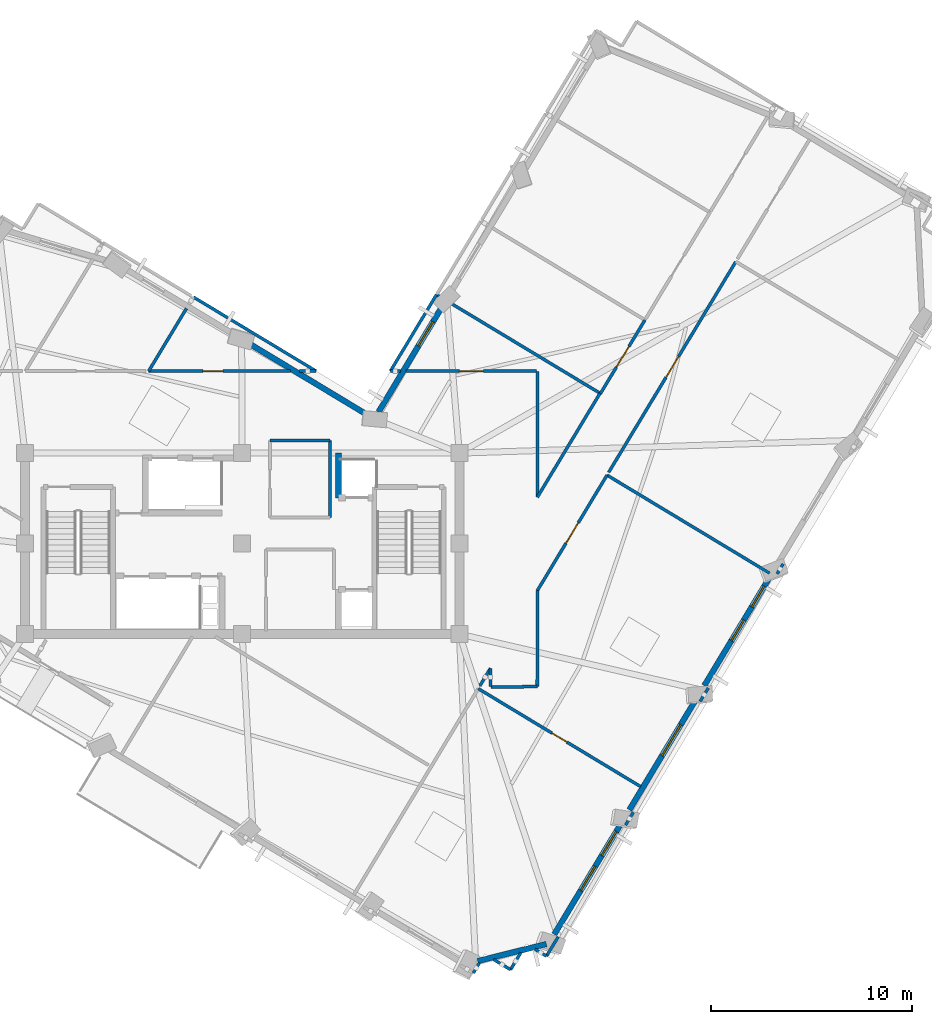
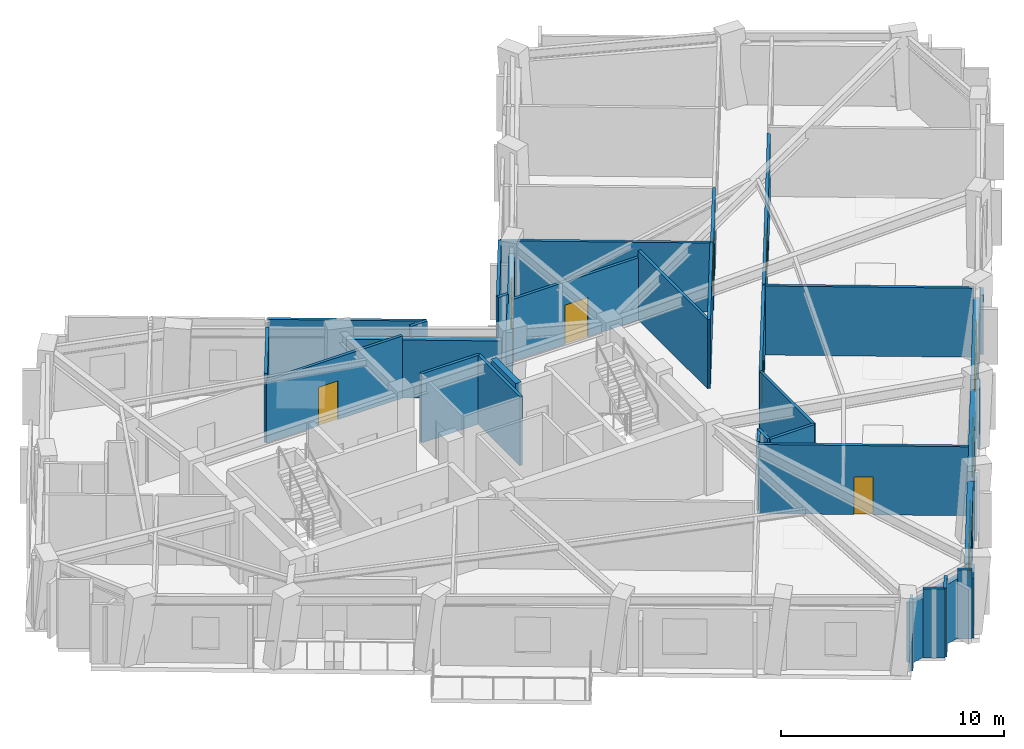
# One storey, part 6 of 12: 36 walls, 6 doors, 6 windows, 12 openings.
"""IFC4 building model written with IfcOpenShell, lengths in metres."""

from ifc_helpers import new_model, si_unit, direction, frame, frame_2d, origin, place, context, subcontext, project, spatial, rectangle, extrude, material, layer, layer_set, type_object, element, fill, save


model = new_model("IFC4")

# Units and contexts
model_context = context("Model", 3, precision=1e-05, world=origin(), true_north=direction((0.0, 1.0)))
body_context = subcontext(model_context, "Body", "Model", "MODEL_VIEW")
ifc_project = project(units=[si_unit("LENGTHUNIT", "METRE"), si_unit("AREAUNIT", "SQUARE_METRE"), si_unit("VOLUMEUNIT", "CUBIC_METRE"), si_unit("PLANEANGLEUNIT", "RADIAN"), si_unit("MASSUNIT", "GRAM", prefix="KILO")], contexts=[model_context])

# Site, building, storey
site_placement = place(None, origin())
site = spatial("IfcSite", under=ifc_project, at=site_placement, CompositionType="ELEMENT")
building_placement = place(site_placement, origin())
building = spatial("IfcBuilding", under=site, at=building_placement, Name="Gaonmaruhae Medical Tower", CompositionType="ELEMENT")
storey_placement = place(building_placement, frame((0.0, 0.0, 276.60009765625)))
storey = spatial("IfcBuildingStorey", under=building, at=storey_placement, Name="L66", CompositionType="ELEMENT", Elevation=276.60009765625)

# Wall, openings, windows
ifc_material_1 = material(Name="Precast concrete C45/55", Category="concrete")
ifc_layer_1 = layer(ifc_material_1, 0.280029296875)
ifc_layer_set_1 = layer_set([ifc_layer_1], Name="Precast concrete C45/55")
wall_type_1 = type_object("IfcWallType", Name="EW-280 Upper Precast Masonry-Frame Facade Wall", PredefinedType="SOLIDWALL", material=ifc_layer_set_1)
wall_1_placement = place(storey_placement, frame((43.67138671875, -1.580078125, 0.0), z_axis=(0.0, 0.0, 1.0), x_axis=(-0.516520776281, -0.856274656678, 0.0)))
wall_1 = element("IfcWall", 1, at=wall_1_placement, inside=storey, type_object=wall_type_1, Name="L66 Precast Masonry-Frame Wall S01-S02", PredefinedType="SOLIDWALL", context=body_context, shape_type="SweptSolid", body=[
    extrude(rectangle(XDim=6.484375, YDim=0.280029296875, at=frame_2d((3.2421875, 0.0))), origin(), (0.0, 0.0, 1.0), 3.264892578125),
])
opening_1_placement = place(wall_1_placement, frame((2.5341796875, 0.0, 0.75)))
opening_1 = element("IfcOpeningElement", 2, at=opening_1_placement, cuts=wall_1, Name="Opening WN-03", PredefinedType="OPENING", context=body_context, shape_type="SweptSolid", body=[
    extrude(rectangle(XDim=1.39990234375, YDim=1.85009765625, at=frame_2d((0.699951171875, 0.925048828125))), frame((0.0, 0.14990234375, 0.0), z_axis=(0.0, -1.0, 0.0), x_axis=(1.0, 0.0, 0.0)), (0.0, 0.0, 1.0), 0.300048828125),
])
opening_2_placement = place(wall_1_placement, frame((0.50927734375, 0.0, 0.75)))
opening_2 = element("IfcOpeningElement", 3, at=opening_2_placement, cuts=wall_1, Name="Opening WN-03", PredefinedType="OPENING", context=body_context, shape_type="SweptSolid", body=[
    extrude(rectangle(XDim=1.39990234375, YDim=1.85009765625, at=frame_2d((0.699951171875, 0.925048828125))), frame((0.0, 0.14990234375, 0.0), z_axis=(0.0, -1.0, 0.0), x_axis=(1.0, 0.0, 0.0)), (0.0, 0.0, 1.0), 0.300048828125),
])
ifc_material_2 = material(Name="Anodised aluminium and Low-E double glazing", Category="aluminium")
window_type_1 = type_object("IfcWindowType", Name="WN-03 Isolation Ward Punched Window 1400x1850", PartitioningType="SINGLE_PANEL", PredefinedType="WINDOW", material=ifc_material_2)
window_1_placement = place(opening_1_placement, origin())
window_1 = element("IfcWindow", 4, at=window_1_placement, inside=storey, type_object=window_type_1, Name="L66 Modular Facade Window S01", OverallHeight=1.85009765625, OverallWidth=1.39990234375, PartitioningType="SINGLE_PANEL", PredefinedType="WINDOW", context=body_context, shape_type="SweptSolid", body=[
    extrude(rectangle(XDim=1.39990234375, YDim=1.85009765625, at=frame_2d((0.699951171875, 0.925048828125))), frame((0.0, 0.030029296875, 0.0), z_axis=(0.0, -1.0, 0.0), x_axis=(1.0, 0.0, 0.0)), (0.0, 0.0, 1.0), 0.06005859375),
])
fill(opening_1, window_1)
window_2_placement = place(opening_2_placement, origin())
window_2 = element("IfcWindow", 5, at=window_2_placement, inside=storey, type_object=window_type_1, Name="L66 Modular Facade Window S01B", OverallHeight=1.85009765625, OverallWidth=1.39990234375, PartitioningType="SINGLE_PANEL", PredefinedType="WINDOW", context=body_context, shape_type="SweptSolid", body=[
    extrude(rectangle(XDim=1.39990234375, YDim=1.85009765625, at=frame_2d((0.699951171875, 0.925048828125))), frame((0.0, 0.030029296875, 0.0), z_axis=(0.0, -1.0, 0.0), x_axis=(1.0, 0.0, 0.0)), (0.0, 0.0, 1.0), 0.06005859375),
])
fill(opening_2, window_2)

# Wall, opening, window
wall_2_placement = place(storey_placement, frame((47.381103515625, 4.56982421875, 0.0), z_axis=(0.0, 0.0, 1.0), x_axis=(-0.516524062201, -0.856272674542, 0.0)))
wall_2 = element("IfcWall", 6, at=wall_2_placement, inside=storey, type_object=wall_type_1, Name="L66 Precast Masonry-Frame Wall S02-S03", PredefinedType="SOLIDWALL", context=body_context, shape_type="SweptSolid", body=[
    extrude(rectangle(XDim=6.4384765625, YDim=0.280029296875, at=frame_2d((3.21923828125, 0.0))), origin(), (0.0, 0.0, 1.0), 3.264892578125),
])
opening_3_placement = place(wall_2_placement, frame((1.495361328125, 0.0, 0.75)))
opening_3 = element("IfcOpeningElement", 7, at=opening_3_placement, cuts=wall_2, Name="Opening WN-04", PredefinedType="OPENING", context=body_context, shape_type="SweptSolid", body=[
    extrude(rectangle(XDim=1.800048828125, YDim=2.050048828125, at=frame_2d((0.89990234375, 1.02490234375))), frame((0.0, 0.14990234375, 0.0), z_axis=(0.0, -1.0, 0.0), x_axis=(1.0, 0.0, 0.0)), (0.0, 0.0, 1.0), 0.300048828125),
])
window_type_2 = type_object("IfcWindowType", Name="WN-04 Clinic & Consult Punched Window 1800x2050", PartitioningType="SINGLE_PANEL", PredefinedType="WINDOW", material=ifc_material_2)
window_3_placement = place(opening_3_placement, origin())
window_3 = element("IfcWindow", 8, at=window_3_placement, inside=storey, type_object=window_type_2, Name="L66 Modular Facade Window S02", OverallHeight=2.050048828125, OverallWidth=1.800048828125, PartitioningType="SINGLE_PANEL", PredefinedType="WINDOW", context=body_context, shape_type="SweptSolid", body=[
    extrude(rectangle(XDim=1.800048828125, YDim=2.050048828125, at=frame_2d((0.89990234375, 1.02490234375))), frame((0.0, 0.030029296875, 0.0), z_axis=(0.0, -1.0, 0.0), x_axis=(1.0, 0.0, 0.0)), (0.0, 0.0, 1.0), 0.06005859375),
])
fill(opening_3, window_3)

# Wall, openings, windows
wall_3_placement = place(storey_placement, frame((51.095947265625, 10.727783203125, 0.0), z_axis=(0.0, 0.0, 1.0), x_axis=(-0.516526398174, -0.856271265423, 0.0)))
wall_3 = element("IfcWall", 9, at=wall_3_placement, inside=storey, type_object=wall_type_1, Name="L66 Precast Masonry-Frame Wall S03-S04", PredefinedType="SOLIDWALL", context=body_context, shape_type="SweptSolid", body=[
    extrude(rectangle(XDim=6.41357421875, YDim=0.280029296875, at=frame_2d((3.206787109375, 0.0))), origin(), (0.0, 0.0, 1.0), 3.264892578125),
])
opening_4_placement = place(wall_3_placement, frame((2.6044921875, 0.0, 0.75)))
opening_4 = element("IfcOpeningElement", 10, at=opening_4_placement, cuts=wall_3, Name="Opening WN-05", PredefinedType="OPENING", context=body_context, shape_type="SweptSolid", body=[
    extrude(rectangle(XDim=1.199951171875, YDim=1.75, at=frame_2d((0.60009765625, 0.875))), frame((0.0, 0.14990234375, 0.0), z_axis=(0.0, -1.0, 0.0), x_axis=(1.0, 0.0, 0.0)), (0.0, 0.0, 1.0), 0.300048828125),
])
opening_5_placement = place(wall_3_placement, frame((0.637451171875, 0.0, 0.75)))
opening_5 = element("IfcOpeningElement", 11, at=opening_5_placement, cuts=wall_3, Name="Opening WN-05", PredefinedType="OPENING", context=body_context, shape_type="SweptSolid", body=[
    extrude(rectangle(XDim=1.199951171875, YDim=1.75, at=frame_2d((0.60009765625, 0.875))), frame((0.0, 0.14990234375, 0.0), z_axis=(0.0, -1.0, 0.0), x_axis=(1.0, 0.0, 0.0)), (0.0, 0.0, 1.0), 0.300048828125),
])
window_type_3 = type_object("IfcWindowType", Name="WN-05 Support & Staff Punched Window 1200x1750", PartitioningType="SINGLE_PANEL", PredefinedType="WINDOW", material=ifc_material_2)
window_4_placement = place(opening_4_placement, origin())
window_4 = element("IfcWindow", 12, at=window_4_placement, inside=storey, type_object=window_type_3, Name="L66 Modular Facade Window S03", OverallHeight=1.75, OverallWidth=1.199951171875, PartitioningType="SINGLE_PANEL", PredefinedType="WINDOW", context=body_context, shape_type="SweptSolid", body=[
    extrude(rectangle(XDim=1.199951171875, YDim=1.75, at=frame_2d((0.60009765625, 0.875))), frame((0.0, 0.030029296875, 0.0), z_axis=(0.0, -1.0, 0.0), x_axis=(1.0, 0.0, 0.0)), (0.0, 0.0, 1.0), 0.06005859375),
])
fill(opening_4, window_4)
window_5_placement = place(opening_5_placement, origin())
window_5 = element("IfcWindow", 13, at=window_5_placement, inside=storey, type_object=window_type_3, Name="L66 Modular Facade Window S03B", OverallHeight=1.75, OverallWidth=1.199951171875, PartitioningType="SINGLE_PANEL", PredefinedType="WINDOW", context=body_context, shape_type="SweptSolid", body=[
    extrude(rectangle(XDim=1.199951171875, YDim=1.75, at=frame_2d((0.60009765625, 0.875))), frame((0.0, 0.030029296875, 0.0), z_axis=(0.0, -1.0, 0.0), x_axis=(1.0, 0.0, 0.0)), (0.0, 0.0, 1.0), 0.06005859375),
])
fill(opening_5, window_5)

# Wall, opening, window
wall_4_placement = place(storey_placement, frame((31.58203125, 18.84130859375, 0.0), z_axis=(0.0, 0.0, 1.0), x_axis=(0.516523161172, 0.856273218064, 0.0)))
wall_4 = element("IfcWall", 14, at=wall_4_placement, inside=storey, type_object=wall_type_1, Name="L66 Precast Masonry-Frame Wall EN02-KN01", PredefinedType="SOLIDWALL", context=body_context, shape_type="SweptSolid", body=[
    extrude(rectangle(XDim=6.158203125, YDim=0.280029296875, at=frame_2d((3.0791015625, 0.0))), origin(), (0.0, 0.0, 1.0), 3.264892578125),
])
opening_6_placement = place(wall_4_placement, frame((3.84033203125, 0.0, 0.75)))
opening_6 = element("IfcOpeningElement", 15, at=opening_6_placement, cuts=wall_4, Name="Opening WN-03", PredefinedType="OPENING", context=body_context, shape_type="SweptSolid", body=[
    extrude(rectangle(XDim=1.39990234375, YDim=1.85009765625, at=frame_2d((0.699951171875, 0.925048828125))), frame((0.0, 0.14990234375, 0.0), z_axis=(0.0, -1.0, 0.0), x_axis=(1.0, 0.0, 0.0)), (0.0, 0.0, 1.0), 0.300048828125),
])
window_6_placement = place(opening_6_placement, origin())
window_6 = element("IfcWindow", 16, at=window_6_placement, inside=storey, type_object=window_type_1, Name="L66 Modular Facade Window EN02", OverallHeight=1.85009765625, OverallWidth=1.39990234375, PartitioningType="SINGLE_PANEL", PredefinedType="WINDOW", context=body_context, shape_type="SweptSolid", body=[
    extrude(rectangle(XDim=1.39990234375, YDim=1.85009765625, at=frame_2d((0.699951171875, 0.925048828125))), frame((0.0, 0.030029296875, 0.0), z_axis=(0.0, -1.0, 0.0), x_axis=(1.0, 0.0, 0.0)), (0.0, 0.0, 1.0), 0.06005859375),
])
fill(opening_6, window_6)

# Walls
wall_5_placement = place(storey_placement, frame((25.120849609375, 22.265380859375, 0.0), z_axis=(0.0, 0.0, 1.0), x_axis=(0.856273819438, -0.516522164233, 0.0)))
element("IfcWall", 17, at=wall_5_placement, inside=storey, type_object=wall_type_1, Name="L66 Precast Masonry-Frame Wall KN01-NE01", PredefinedType="SOLIDWALL", context=body_context, shape_type="SweptSolid", body=[
    extrude(rectangle(XDim=6.9580078125, YDim=0.280029296875, at=frame_2d((3.47900390625, 0.0))), origin(), (0.0, 0.0, 1.0), 3.164794921875),
])
wall_6_placement = place(storey_placement, frame((39.92822265625, -7.615478515625, 0.0), z_axis=(0.0, 0.0, 1.0), x_axis=(-0.970722985733, -0.240201758881, 0.0)))
element("IfcWall", 18, at=wall_6_placement, inside=storey, type_object=wall_type_1, Name="L66 Precast Masonry-Frame Wall W06-S01", PredefinedType="SOLIDWALL", context=body_context, shape_type="SweptSolid", body=[
    extrude(rectangle(XDim=3.520751953125, YDim=0.280029296875, at=frame_2d((1.76025390625, 0.0))), origin(), (0.0, 0.0, 1.0), 3.264892578125),
])
ifc_material_3 = material(Name="Gypsum board partition", Category="gypsum")
ifc_layer_2 = layer(ifc_material_3, 0.14990234375)
ifc_layer_set_2 = layer_set([ifc_layer_2], Name="Gypsum board partition")
wall_type_2 = type_object("IfcWallType", Name="PW-150 Rated Clinical Corridor Partition", PredefinedType="PARTITIONING", material=ifc_layer_set_2)
wall_7_placement = place(storey_placement, frame((26.179931640625, 17.419921875, 0.0), z_axis=(0.0, 0.0, 1.0), x_axis=(1.0, 0.0, 0.0)))
element("IfcWall", 19, at=wall_7_placement, inside=storey, type_object=wall_type_2, Name="L66 Interior Partition L66-RCL2-5", PredefinedType="PARTITIONING", context=body_context, shape_type="SweptSolid", body=[
    extrude(rectangle(XDim=3.0, YDim=0.14990234375, at=frame_2d((1.5, 0.0))), origin(), (0.0, 0.0, 1.0), 3.77978515625),
])
wall_8_placement = place(storey_placement, frame((29.179931640625, 17.419921875, 0.0), z_axis=(0.0, 0.0, 1.0), x_axis=(0.0, -1.0, 0.0)))
element("IfcWall", 20, at=wall_8_placement, inside=storey, type_object=wall_type_2, Name="L66 Interior Partition L66-RCL2-6", PredefinedType="PARTITIONING", context=body_context, shape_type="SweptSolid", body=[
    extrude(rectangle(XDim=3.81982421875, YDim=0.14990234375, at=frame_2d((1.909912109375, 0.0))), origin(), (0.0, 0.0, 1.0), 3.77978515625),
])
wall_9_placement = place(storey_placement, frame((38.14990234375, -8.89306640625, 0.0), z_axis=(0.0, 0.0, 1.0), x_axis=(-0.856136717334, 0.516749379518, 0.0)))
element("IfcWall", 21, at=wall_9_placement, inside=storey, type_object=wall_type_2, Name="L66 Interior Partition L66-SUP01-8", PredefinedType="PARTITIONING", context=body_context, shape_type="SweptSolid", body=[
    extrude(rectangle(XDim=0.987060546875, YDim=0.14990234375, at=frame_2d((0.49365234375, 0.0))), origin(), (0.0, 0.0, 1.0), 3.77978515625),
])
wall_10_placement = place(storey_placement, frame((36.60107421875, -8.556884765625, 0.0), z_axis=(0.0, 0.0, 1.0), x_axis=(-0.515839920348, -0.856684992617, 0.0)))
element("IfcWall", 22, at=wall_10_placement, inside=storey, type_object=wall_type_2, Name="L66 Interior Partition L66-SUP01-9", PredefinedType="PARTITIONING", context=body_context, shape_type="SweptSolid", body=[
    extrude(rectangle(XDim=0.58740234375, YDim=0.14990234375, at=frame_2d((0.293701171875, 0.0))), origin(), (0.0, 0.0, 1.0), 3.77978515625),
])

# Wall, opening, door
wall_11_placement = place(storey_placement, frame((36.541015625, 5.087890625, 0.0), z_axis=(0.0, 0.0, 1.0), x_axis=(0.856225356417, -0.516602496151, 0.0)))
wall_11 = element("IfcWall", 23, at=wall_11_placement, inside=storey, type_object=wall_type_2, Name="L66 Interior Partition L66-SUP01-13", PredefinedType="PARTITIONING", context=body_context, shape_type="SweptSolid", body=[
    extrude(rectangle(XDim=9.434326171875, YDim=0.14990234375, at=frame_2d((4.71728515625, 0.0))), origin(), (0.0, 0.0, 1.0), 3.77978515625),
])
opening_7_placement = place(wall_11_placement, frame((4.287353515625, 0.0, 0.0)))
opening_7 = element("IfcOpeningElement", 24, at=opening_7_placement, cuts=wall_11, Name="Opening AD-01", PredefinedType="OPENING", context=body_context, shape_type="SweptSolid", body=[
    extrude(rectangle(XDim=0.860107421875, YDim=2.06005859375, at=frame_2d((0.43017578125, 1.030029296875))), frame((0.0, 0.0849609375, 0.0), z_axis=(0.0, -1.0, 0.0), x_axis=(1.0, 0.0, 0.0)), (0.0, 0.0, 1.0), 0.169921875),
])
ifc_material_4 = material(Name="Powder-coated steel access door", Category="steel")
door_type_1 = type_object("IfcDoorType", Name="AD-01 Riser & Closet Access Fire Door 860x2060", OperationType="NOTDEFINED", PredefinedType="DOOR", material=ifc_material_4)
door_1_placement = place(opening_7_placement, origin())
door_1 = element("IfcDoor", 25, at=door_1_placement, inside=storey, type_object=door_type_1, Name="L66 Clinical Biomedical Charting Office Sliding Door", OperationType="SLIDING_TO_LEFT", OverallHeight=2.06005859375, OverallWidth=0.860107421875, PredefinedType="DOOR", context=body_context, shape_type="SweptSolid", body=[
    extrude(rectangle(XDim=0.860107421875, YDim=2.06005859375, at=frame_2d((0.43017578125, 1.030029296875))), frame((0.0, 0.02490234375, 0.0), z_axis=(0.0, -1.0, 0.0), x_axis=(1.0, 0.0, 0.0)), (0.0, 0.0, 1.0), 0.050048828125),
])
fill(opening_7, door_1)

# Walls
wall_12_placement = place(storey_placement, frame((44.251953125, -1.06201171875, 0.0), z_axis=(0.0, 0.0, 1.0), x_axis=(-0.515364962817, -0.856970801778, 0.0)))
element("IfcWall", 26, at=wall_12_placement, inside=storey, type_object=wall_type_2, Name="L66 Interior Partition L66-SUP01-14", PredefinedType="PARTITIONING", context=body_context, shape_type="SweptSolid", body=[
    extrude(rectangle(XDim=0.7431640625, YDim=0.14990234375, at=frame_2d((0.37158203125, 0.0))), origin(), (0.0, 0.0, 1.0), 3.264892578125),
])
wall_13_placement = place(storey_placement, frame((40.51904296875, -7.251953125, 0.0), z_axis=(0.0, 0.0, 1.0), x_axis=(-0.516689579723, -0.856172808611, 0.0)))
element("IfcWall", 27, at=wall_13_placement, inside=storey, type_object=wall_type_2, Name="L66 Interior Partition L66-SUP01-15", PredefinedType="PARTITIONING", context=body_context, shape_type="SweptSolid", body=[
    extrude(rectangle(XDim=1.12841796875, YDim=0.14990234375, at=frame_2d((0.564208984375, 0.0))), origin(), (0.0, 0.0, 1.0), 3.264892578125),
])
wall_14_placement = place(storey_placement, frame((39.93603515625, -8.218017578125, 0.0), z_axis=(0.0, 0.0, 1.0), x_axis=(-0.856976126513, 0.515356108518, 0.0)))
element("IfcWall", 28, at=wall_14_placement, inside=storey, type_object=wall_type_2, Name="L66 Interior Partition L66-SUP01-16", PredefinedType="PARTITIONING", context=body_context, shape_type="SweptSolid", body=[
    extrude(rectangle(XDim=0.66748046875, YDim=0.14990234375, at=frame_2d((0.333740234375, 0.0))), origin(), (0.0, 0.0, 1.0), 3.77978515625),
])
wall_15_placement = place(storey_placement, frame((38.659912109375, -8.048095703125, 0.0), z_axis=(0.0, 0.0, 1.0), x_axis=(-0.516749379518, -0.856136717334, 0.0)))
element("IfcWall", 29, at=wall_15_placement, inside=storey, type_object=wall_type_2, Name="L66 Interior Partition L66-SUP01-17", PredefinedType="PARTITIONING", context=body_context, shape_type="SweptSolid", body=[
    extrude(rectangle(XDim=0.987060546875, YDim=0.14990234375, at=frame_2d((0.49365234375, 0.0))), origin(), (0.0, 0.0, 1.0), 3.77978515625),
])
wall_16_placement = place(storey_placement, frame((37.179931640625, 5.169921875, 0.0), z_axis=(0.0, 0.0, 1.0), x_axis=(0.999975377948, 0.007017371073, 0.0)))
element("IfcWall", 30, at=wall_16_placement, inside=storey, type_object=wall_type_2, Name="L66 Interior Partition L66-SUP02-18", PredefinedType="PARTITIONING", context=body_context, shape_type="SweptSolid", body=[
    extrude(rectangle(XDim=2.296142578125, YDim=0.14990234375, at=frame_2d((1.14794921875, 0.0))), origin(), (0.0, 0.0, 1.0), 3.77978515625),
])
wall_17_placement = place(storey_placement, frame((39.47607421875, 5.18603515625, 0.0), z_axis=(0.0, 0.0, 1.0), x_axis=(0.000818246632, 0.999999665236, 0.0)))
element("IfcWall", 31, at=wall_17_placement, inside=storey, type_object=wall_type_2, Name="L66 Interior Partition L66-SUP02-19", PredefinedType="PARTITIONING", context=body_context, shape_type="SweptSolid", body=[
    extrude(rectangle(XDim=4.77392578125, YDim=0.14990234375, at=frame_2d((2.386962890625, 0.0))), origin(), (0.0, 0.0, 1.0), 3.77978515625),
])

# Wall, opening, door
wall_18_placement = place(storey_placement, frame((39.47998046875, 9.9599609375, 0.0), z_axis=(0.0, 0.0, 1.0), x_axis=(0.516575747775, 0.856241494446, 0.0)))
wall_18 = element("IfcWall", 32, at=wall_18_placement, inside=storey, type_object=wall_type_2, Name="L66 Interior Partition L66-SUP02-20", PredefinedType="PARTITIONING", context=body_context, shape_type="SweptSolid", body=[
    extrude(rectangle(XDim=6.709716796875, YDim=0.14990234375, at=frame_2d((3.35498046875, 0.0))), origin(), (0.0, 0.0, 1.0), 3.77978515625),
])
opening_8_placement = place(wall_18_placement, frame((2.7548828125, 0.0, 0.0)))
opening_8 = element("IfcOpeningElement", 33, at=opening_8_placement, cuts=wall_18, Name="Opening CD-02", PredefinedType="OPENING", context=body_context, shape_type="SweptSolid", body=[
    extrude(rectangle(XDim=1.199951171875, YDim=2.14990234375, at=frame_2d((0.60009765625, 1.074951171875))), frame((0.0, 0.0849609375, 0.0), z_axis=(0.0, -1.0, 0.0), x_axis=(1.0, 0.0, 0.0)), (0.0, 0.0, 1.0), 0.169921875),
])
ifc_material_5 = material(Name="Antimicrobial laminate timber fire door", Category="wood")
door_type_2 = type_object("IfcDoorType", Name="CD-02 Clinical Treatment & Procedure Door 1200x2150", OperationType="NOTDEFINED", PredefinedType="DOOR", material=ifc_material_5)
door_2_placement = place(opening_8_placement, origin())
door_2 = element("IfcDoor", 34, at=door_2_placement, inside=storey, type_object=door_type_2, Name="L66 Clinical Biomedical Charting Office Door", OperationType="SINGLE_SWING_RIGHT", OverallHeight=2.14990234375, OverallWidth=1.199951171875, PredefinedType="DOOR", context=body_context, shape_type="SweptSolid", body=[
    extrude(rectangle(XDim=1.199951171875, YDim=2.14990234375, at=frame_2d((0.60009765625, 1.074951171875))), frame((0.0, 0.02490234375, 0.0), z_axis=(0.0, -1.0, 0.0), x_axis=(1.0, 0.0, 0.0)), (0.0, 0.0, 1.0), 0.050048828125),
])
fill(opening_8, door_2)

# Walls
wall_19_placement = place(storey_placement, frame((42.946044921875, 15.705078125, 0.0), z_axis=(0.0, 0.0, 1.0), x_axis=(0.85631180797, -0.516459182831, 0.0)))
element("IfcWall", 35, at=wall_19_placement, inside=storey, type_object=wall_type_2, Name="L66 Interior Partition L66-SUP02-21", PredefinedType="PARTITIONING", context=body_context, shape_type="SweptSolid", body=[
    extrude(rectangle(XDim=9.447265625, YDim=0.14990234375, at=frame_2d((4.7236328125, 0.0))), origin(), (0.0, 0.0, 1.0), 3.77978515625),
])
wall_20_placement = place(storey_placement, frame((47.97998046875, 5.116943359375, 0.0), z_axis=(0.0, 0.0, 1.0), x_axis=(-0.516847403062, -0.856077544355, 0.0)))
element("IfcWall", 36, at=wall_20_placement, inside=storey, type_object=wall_type_2, Name="L66 Interior Partition L66-SUP02-22", PredefinedType="PARTITIONING", context=body_context, shape_type="SweptSolid", body=[
    extrude(rectangle(XDim=0.778076171875, YDim=0.14990234375, at=frame_2d((0.38916015625, 0.0))), origin(), (0.0, 0.0, 1.0), 3.264892578125),
])
wall_21_placement = place(storey_placement, frame((36.623046875, 5.22509765625, 0.0), z_axis=(0.0, 0.0, 1.0), x_axis=(0.516783003551, 0.856116421546, 0.0)))
element("IfcWall", 37, at=wall_21_placement, inside=storey, type_object=wall_type_2, Name="L66 Interior Partition L66-SUP02-23", PredefinedType="PARTITIONING", context=body_context, shape_type="SweptSolid", body=[
    extrude(rectangle(XDim=1.01953125, YDim=0.14990234375, at=frame_2d((0.509765625, 0.0))), origin(), (0.0, 0.0, 1.0), 3.77978515625),
])
wall_22_placement = place(storey_placement, frame((37.14990234375, 6.097900390625, 0.0), z_axis=(0.0, 0.0, 1.0), x_axis=(0.0, -1.0, 0.0)))
element("IfcWall", 38, at=wall_22_placement, inside=storey, type_object=wall_type_2, Name="L66 Interior Partition L66-SUP02-24", PredefinedType="PARTITIONING", context=body_context, shape_type="SweptSolid", body=[
    extrude(rectangle(XDim=0.90087890625, YDim=0.14990234375, at=frame_2d((0.450439453125, 0.0))), origin(), (0.0, 0.0, 1.0), 3.77978515625),
])

# Wall, opening, door
wall_23_placement = place(storey_placement, frame((43.028076171875, 15.842041015625, 0.0), z_axis=(0.0, 0.0, 1.0), x_axis=(0.516562112888, 0.856249720309, 0.0)))
wall_23 = element("IfcWall", 39, at=wall_23_placement, inside=storey, type_object=wall_type_2, Name="L66 Interior Partition L66-SUP03-25", PredefinedType="PARTITIONING", context=body_context, shape_type="SweptSolid", body=[
    extrude(rectangle(XDim=12.240478515625, YDim=0.14990234375, at=frame_2d((6.1201171875, 0.0))), origin(), (0.0, 0.0, 1.0), 3.414794921875),
])
opening_9_placement = place(wall_23_placement, frame((5.520263671875, 0.0, 0.0)))
opening_9 = element("IfcOpeningElement", 40, at=opening_9_placement, cuts=wall_23, Name="Opening CD-02", PredefinedType="OPENING", context=body_context, shape_type="SweptSolid", body=[
    extrude(rectangle(XDim=1.199951171875, YDim=2.14990234375, at=frame_2d((0.60009765625, 1.074951171875))), frame((0.0, 0.0849609375, 0.0), z_axis=(0.0, -1.0, 0.0), x_axis=(1.0, 0.0, 0.0)), (0.0, 0.0, 1.0), 0.169921875),
])
door_3_placement = place(opening_9_placement, origin())
door_3 = element("IfcDoor", 41, at=door_3_placement, inside=storey, type_object=door_type_2, Name="L66 Clinical Biomedical Charting Office Door", OperationType="SINGLE_SWING_LEFT", OverallHeight=2.14990234375, OverallWidth=1.199951171875, PredefinedType="DOOR", context=body_context, shape_type="SweptSolid", body=[
    extrude(rectangle(XDim=1.199951171875, YDim=2.14990234375, at=frame_2d((0.60009765625, 1.074951171875))), frame((0.0, 0.02490234375, 0.0), z_axis=(0.0, -1.0, 0.0), x_axis=(1.0, 0.0, 0.0)), (0.0, 0.0, 1.0), 0.050048828125),
])
fill(opening_9, door_3)

# Wall
wall_24_placement = place(storey_placement, frame((51.702880859375, 11.2890625, 0.0), z_axis=(0.0, 0.0, 1.0), x_axis=(-0.515730444954, -0.856750902041, 0.0)))
element("IfcWall", 42, at=wall_24_placement, inside=storey, type_object=wall_type_2, Name="L66 Interior Partition L66-SUP03-28", PredefinedType="PARTITIONING", context=body_context, shape_type="SweptSolid", body=[
    extrude(rectangle(XDim=0.581298828125, YDim=0.14990234375, at=frame_2d((0.29052734375, 0.0))), origin(), (0.0, 0.0, 1.0), 3.264892578125),
])

# Wall, opening, door
wall_25_placement = place(storey_placement, frame((39.449951171875, 20.8798828125, 0.0), z_axis=(0.0, 0.0, 1.0), x_axis=(-1.0, 0.0, 0.0)))
wall_25 = element("IfcWall", 43, at=wall_25_placement, inside=storey, type_object=wall_type_2, Name="L66 Interior Partition L66-IE01-53", PredefinedType="PARTITIONING", context=body_context, shape_type="SweptSolid", body=[
    extrude(rectangle(XDim=6.50390625, YDim=0.14990234375, at=frame_2d((3.251953125, 0.0))), origin(), (0.0, 0.0, 1.0), 3.414794921875),
])
opening_10_placement = place(wall_25_placement, frame((2.652099609375, 0.0, 0.0)))
opening_10 = element("IfcOpeningElement", 44, at=opening_10_placement, cuts=wall_25, Name="Opening CD-02", PredefinedType="OPENING", context=body_context, shape_type="SweptSolid", body=[
    extrude(rectangle(XDim=1.199951171875, YDim=2.14990234375, at=frame_2d((0.60009765625, 1.074951171875))), frame((0.0, 0.0849609375, 0.0), z_axis=(0.0, -1.0, 0.0), x_axis=(1.0, 0.0, 0.0)), (0.0, 0.0, 1.0), 0.169921875),
])
door_4_placement = place(opening_10_placement, origin())
door_4 = element("IfcDoor", 45, at=door_4_placement, inside=storey, type_object=door_type_2, Name="L66 Central Clinical Nurse Station Door", OperationType="SINGLE_SWING_LEFT", OverallHeight=2.14990234375, OverallWidth=1.199951171875, PredefinedType="DOOR", context=body_context, shape_type="SweptSolid", body=[
    extrude(rectangle(XDim=1.199951171875, YDim=2.14990234375, at=frame_2d((0.60009765625, 1.074951171875))), frame((0.0, 0.02490234375, 0.0), z_axis=(0.0, -1.0, 0.0), x_axis=(1.0, 0.0, 0.0)), (0.0, 0.0, 1.0), 0.050048828125),
])
fill(opening_10, door_4)

# Walls
wall_26_placement = place(storey_placement, frame((32.677978515625, 20.8798828125, 0.0), z_axis=(0.0, 0.0, 1.0), x_axis=(-1.0, 0.0, 0.0)))
element("IfcWall", 46, at=wall_26_placement, inside=storey, type_object=wall_type_2, Name="L66 Interior Partition L66-IE01-54", PredefinedType="PARTITIONING", context=body_context, shape_type="SweptSolid", body=[
    extrude(rectangle(XDim=0.508056640625, YDim=0.14990234375, at=frame_2d((0.25390625, 0.0))), origin(), (0.0, 0.0, 1.0), 3.77978515625),
])
wall_27_placement = place(storey_placement, frame((32.169921875, 20.8798828125, 0.0), z_axis=(0.0, 0.0, 1.0), x_axis=(0.516426008646, 0.856331815124, 0.0)))
element("IfcWall", 47, at=wall_27_placement, inside=storey, type_object=wall_type_2, Name="L66 Interior Partition L66-IE01-55", PredefinedType="PARTITIONING", context=body_context, shape_type="SweptSolid", body=[
    extrude(rectangle(XDim=4.4423828125, YDim=0.14990234375, at=frame_2d((2.22119140625, 0.0))), origin(), (0.0, 0.0, 1.0), 3.77978515625),
])
wall_28_placement = place(storey_placement, frame((34.464111328125, 24.68408203125, 0.0), z_axis=(0.0, 0.0, 1.0), x_axis=(0.856284272725, -0.516504834714, 0.0)))
element("IfcWall", 48, at=wall_28_placement, inside=storey, type_object=wall_type_2, Name="L66 Interior Partition L66-IE01-56", PredefinedType="PARTITIONING", context=body_context, shape_type="SweptSolid", body=[
    extrude(rectangle(XDim=9.500244140625, YDim=0.14990234375, at=frame_2d((4.75, 0.0))), origin(), (0.0, 0.0, 1.0), 3.77978515625),
])
wall_29_placement = place(storey_placement, frame((42.59912109375, 19.777099609375, 0.0), z_axis=(0.0, 0.0, 1.0), x_axis=(-0.516569402647, -0.856245322468, 0.0)))
element("IfcWall", 49, at=wall_29_placement, inside=storey, type_object=wall_type_2, Name="L66 Interior Partition L66-IE01-57", PredefinedType="PARTITIONING", context=body_context, shape_type="SweptSolid", body=[
    extrude(rectangle(XDim=6.0380859375, YDim=0.14990234375, at=frame_2d((3.01904296875, 0.0))), origin(), (0.0, 0.0, 1.0), 3.77978515625),
])
wall_30_placement = place(storey_placement, frame((39.47998046875, 14.60693359375, 0.0), z_axis=(0.0, 0.0, 1.0), x_axis=(0.0, 1.0, 0.0)))
element("IfcWall", 50, at=wall_30_placement, inside=storey, type_object=wall_type_2, Name="L66 Interior Partition L66-IE01-58", PredefinedType="PARTITIONING", context=body_context, shape_type="SweptSolid", body=[
    extrude(rectangle(XDim=6.24609375, YDim=0.14990234375, at=frame_2d((3.123046875, 0.0))), origin(), (0.0, 0.0, 1.0), 3.77978515625),
])
wall_31_placement = place(storey_placement, frame((20.152099609375, 20.8798828125, 0.0), z_axis=(0.0, 0.0, 1.0), x_axis=(0.516664967884, 0.856187661066, 0.0)))
element("IfcWall", 51, at=wall_31_placement, inside=storey, type_object=wall_type_2, Name="L66 Interior Partition L66-IN01-59", PredefinedType="PARTITIONING", context=body_context, shape_type="SweptSolid", body=[
    extrude(rectangle(XDim=3.638427734375, YDim=0.14990234375, at=frame_2d((1.8193359375, 0.0))), origin(), (0.0, 0.0, 1.0), 3.77978515625),
])
wall_32_placement = place(storey_placement, frame((22.375, 24.56396484375, 0.0), z_axis=(0.0, 0.0, 1.0), x_axis=(0.856258144364, -0.516548148975, 0.0)))
element("IfcWall", 52, at=wall_32_placement, inside=storey, type_object=wall_type_2, Name="L66 Interior Partition L66-IN01-61", PredefinedType="PARTITIONING", context=body_context, shape_type="SweptSolid", body=[
    extrude(rectangle(XDim=7.132080078125, YDim=0.14990234375, at=frame_2d((3.56591796875, 0.0))), origin(), (0.0, 0.0, 1.0), 3.77978515625),
])
wall_33_placement = place(storey_placement, frame((28.48193359375, 20.8798828125, 0.0), z_axis=(0.0, 0.0, 1.0), x_axis=(-1.0, 0.0, 0.0)))
element("IfcWall", 53, at=wall_33_placement, inside=storey, type_object=wall_type_2, Name="L66 Interior Partition L66-IN01-62", PredefinedType="PARTITIONING", context=body_context, shape_type="SweptSolid", body=[
    extrude(rectangle(XDim=0.842041015625, YDim=0.14990234375, at=frame_2d((0.4208984375, 0.0))), origin(), (0.0, 0.0, 1.0), 3.77978515625),
])

# Wall, opening, door
wall_34_placement = place(storey_placement, frame((27.195068359375, 20.8798828125, 0.0), z_axis=(0.0, 0.0, 1.0), x_axis=(-1.0, 0.0, 0.0)))
wall_34 = element("IfcWall", 54, at=wall_34_placement, inside=storey, type_object=wall_type_2, Name="L66 Interior Partition L66-IN01-63", PredefinedType="PARTITIONING", context=body_context, shape_type="SweptSolid", body=[
    extrude(rectangle(XDim=7.04296875, YDim=0.14990234375, at=frame_2d((3.521484375, 0.0))), origin(), (0.0, 0.0, 1.0), 3.414794921875),
])
opening_11_placement = place(wall_34_placement, frame((3.3505859375, 0.0, 0.0)))
opening_11 = element("IfcOpeningElement", 55, at=opening_11_placement, cuts=wall_34, Name="Opening CD-01", PredefinedType="OPENING", context=body_context, shape_type="SweptSolid", body=[
    extrude(rectangle(XDim=1.0, YDim=2.1201171875, at=frame_2d((0.5, 1.06005859375))), frame((0.0, 0.0849609375, 0.0), z_axis=(0.0, -1.0, 0.0), x_axis=(1.0, 0.0, 0.0)), (0.0, 0.0, 1.0), 0.169921875),
])
door_type_3 = type_object("IfcDoorType", Name="CD-01 Consultation & Physician Office Door 1000x2120", OperationType="NOTDEFINED", PredefinedType="DOOR", material=ifc_material_5)
door_5_placement = place(opening_11_placement, origin())
door_5 = element("IfcDoor", 56, at=door_5_placement, inside=storey, type_object=door_type_3, Name="L66 Physician Consultation Office Door", OperationType="SINGLE_SWING_RIGHT", OverallHeight=2.1201171875, OverallWidth=1.0, PredefinedType="DOOR", context=body_context, shape_type="SweptSolid", body=[
    extrude(rectangle(XDim=1.0, YDim=2.1201171875, at=frame_2d((0.5, 1.06005859375))), frame((0.0, 0.02490234375, 0.0), z_axis=(0.0, -1.0, 0.0), x_axis=(1.0, 0.0, 0.0)), (0.0, 0.0, 1.0), 0.050048828125),
])
fill(opening_11, door_5)

wall_35_placement = place(storey_placement, frame((44.83203125, 23.419921875, 0.0), z_axis=(0.0, 0.0, 1.0), x_axis=(-0.517953436176, -0.855408813348, 0.0)))
wall_35 = element("IfcWall", 57, at=wall_35_placement, inside=storey, type_object=wall_type_2, Name="L66 Interior Partition L66-RM04-88", PredefinedType="PARTITIONING", context=body_context, shape_type="SweptSolid", body=[
    extrude(rectangle(XDim=4.27294921875, YDim=0.14990234375, at=frame_2d((2.136474609375, 0.0))), origin(), (0.0, 0.0, 1.0), 3.77978515625),
])
opening_12_placement = place(wall_35_placement, frame((1.536376953125, 0.0, 0.0)))
opening_12 = element("IfcOpeningElement", 58, at=opening_12_placement, cuts=wall_35, Name="Opening CD-02", PredefinedType="OPENING", context=body_context, shape_type="SweptSolid", body=[
    extrude(rectangle(XDim=1.199951171875, YDim=2.14990234375, at=frame_2d((0.60009765625, 1.074951171875))), frame((0.0, 0.0849609375, 0.0), z_axis=(0.0, -1.0, 0.0), x_axis=(1.0, 0.0, 0.0)), (0.0, 0.0, 1.0), 0.169921875),
])
door_6_placement = place(opening_12_placement, origin())
door_6 = element("IfcDoor", 59, at=door_6_placement, inside=storey, type_object=door_type_2, Name="L66 Clinical Records Office Door", OperationType="SINGLE_SWING_LEFT", OverallHeight=2.14990234375, OverallWidth=1.199951171875, PredefinedType="DOOR", context=body_context, shape_type="SweptSolid", body=[
    extrude(rectangle(XDim=1.199951171875, YDim=2.14990234375, at=frame_2d((0.60009765625, 1.074951171875))), frame((0.0, 0.02490234375, 0.0), z_axis=(0.0, -1.0, 0.0), x_axis=(1.0, 0.0, 0.0)), (0.0, 0.0, 1.0), 0.050048828125),
])
fill(opening_12, door_6)

# Wall
ifc_material_6 = material(Name="Concrete C50/60", Category="concrete")
ifc_layer_3 = layer(ifc_material_6, 0.300048828125)
ifc_layer_set_3 = layer_set([ifc_layer_3], Name="Concrete C50/60")
wall_type_3 = type_object("IfcWallType", Name="SW-300 Stair & Lift Hoistway Shaft Wall", PredefinedType="SOLIDWALL", material=ifc_layer_set_3)
wall_36_placement = place(storey_placement, frame((29.60009765625, 14.580078125, 0.0), z_axis=(0.0, 0.0, 1.0), x_axis=(0.0, 1.0, 0.0)))
element("IfcWall", 60, at=wall_36_placement, inside=storey, type_object=wall_type_3, Name="L66 Shaft Enclosure Wall SHW-PLD2", PredefinedType="SOLIDWALL", context=body_context, shape_type="SweptSolid", body=[
    extrude(rectangle(XDim=2.219970703125, YDim=0.300048828125, at=frame_2d((1.10986328125, 0.0))), origin(), (0.0, 0.0, 1.0), 3.77978515625),
])

save(model, "model.ifc")
